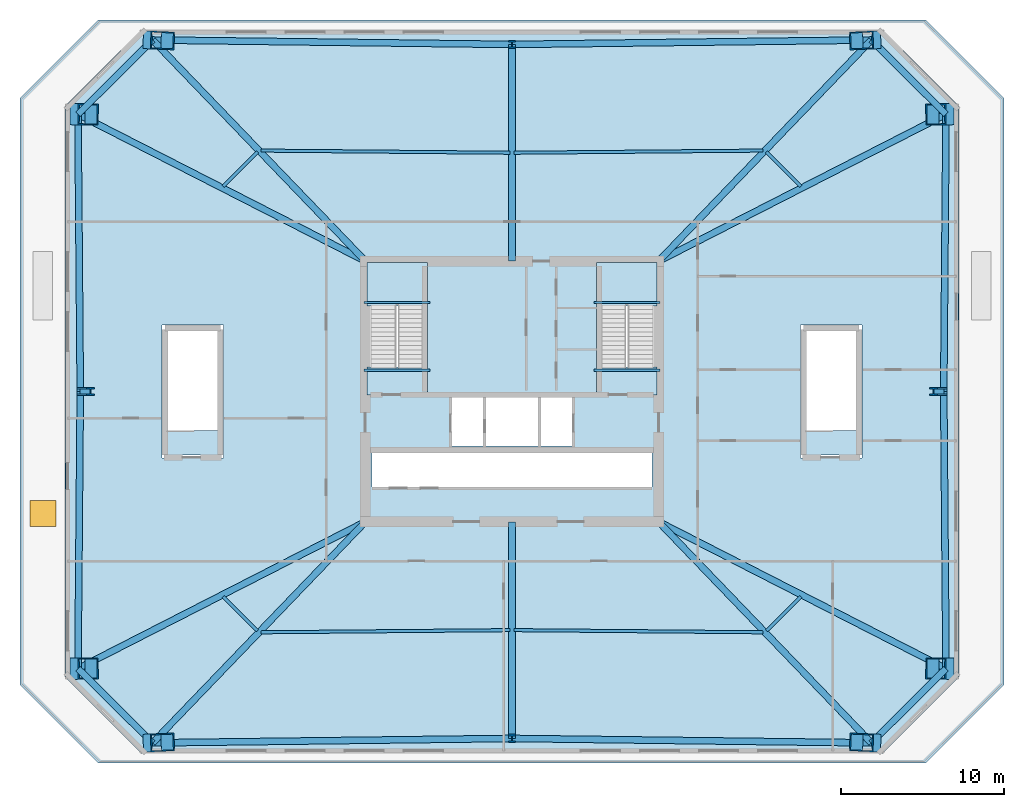
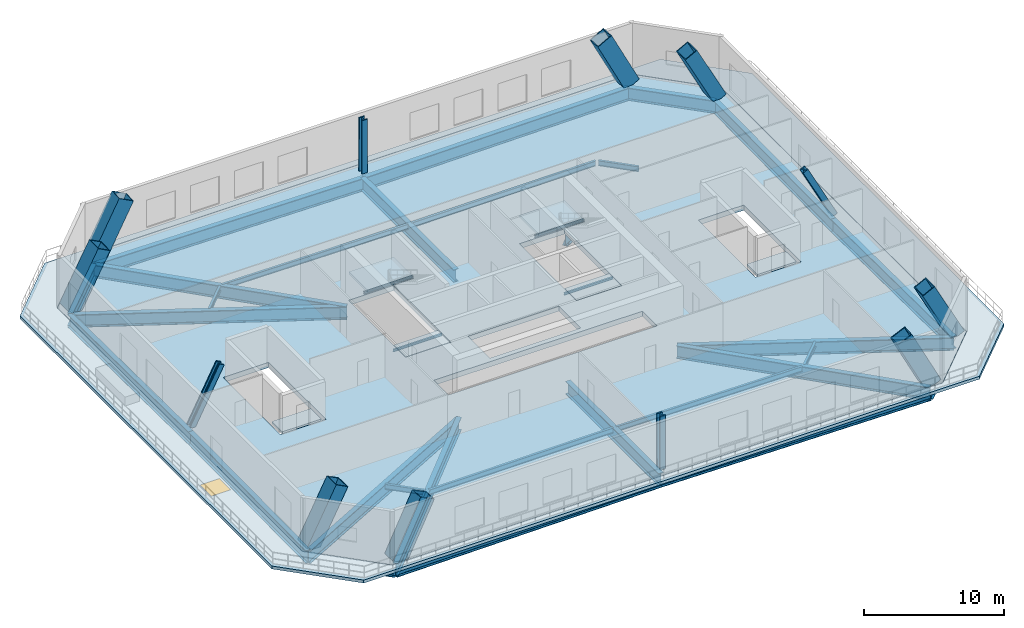
# One storey, part 1 of 7: 34 beams, 12 columns, 8 slabs, 1 window, 1 opening, 2 elements without a shape of their own.
"""IFC4 building model written with IfcOpenShell, lengths in metres."""

from ifc_helpers import new_model, si_unit, direction, frame, origin, origin_2d, place, context, subcontext, project, spatial, polyline, rectangle, hollow_rectangle, i_section, outline, extrude, material, layer, layer_set, material_profile, profile_set, type_object, element, fill, aggregate, save


model = new_model("IFC4")

# Units and contexts
model_context = context("Model", 3, precision=1e-05, world=origin(), true_north=direction((0.0, 1.0)))
body_context = subcontext(model_context, "Body", "Model", "MODEL_VIEW")
ifc_project = project(units=[si_unit("LENGTHUNIT", "METRE"), si_unit("AREAUNIT", "SQUARE_METRE"), si_unit("VOLUMEUNIT", "CUBIC_METRE"), si_unit("PLANEANGLEUNIT", "RADIAN"), si_unit("MASSUNIT", "GRAM", prefix="KILO")], contexts=[model_context])

# Site, building, storey
site_placement = place(None, origin())
site = spatial("IfcSite", under=ifc_project, at=site_placement, CompositionType="ELEMENT")
building_placement = place(site_placement, origin())
building = spatial("IfcBuilding", under=site, at=building_placement, Name="Caelvoria Tower", CompositionType="ELEMENT")
storey_placement = place(building_placement, frame((0.0, 0.0, 23.0)))
storey = spatial("IfcBuildingStorey", under=building, at=storey_placement, Name="L05", CompositionType="ELEMENT", Elevation=23.0)

# Columns
ifc_material_1 = material(Name="Structural Steel ASTM A913 Gr.65", Category="steel")
ifc_material_profile_1 = material_profile(ifc_material_1, i_section(OverallWidth=0.43896484375, OverallDepth=0.513916015625, WebThickness=0.059814453125, FlangeThickness=0.096923828125, FilletRadius=0.02490234375, at=origin_2d()), Name="Structural Steel ASTM A913 Gr.65")
ifc_profile_set_1 = profile_set([ifc_material_profile_1], Name="W360X818 - Structural Steel ASTM A913 Gr.65")
column_type_1 = type_object("IfcColumnType", Name="Heavy Frame Column W360X818", PredefinedType="COLUMN", material=ifc_profile_set_1)
column_1_placement = place(storey_placement, frame((46.0, 10.699951171875, 0.0), z_axis=(0.0, 0.004279486933, 0.999990842954), x_axis=(-1.0, 0.0, 0.0)))
element("IfcColumn", 1, at=column_1_placement, inside=storey, type_object=column_type_1, Name="Perimeter Megaframe Column L05-P01", PredefinedType="COLUMN", context=body_context, shape_type="SweptSolid", body=[
    extrude(i_section(OverallWidth=0.43896484375, OverallDepth=0.513916015625, WebThickness=0.059814453125, FlangeThickness=0.096923828125, FilletRadius=0.02490234375, at=origin_2d()), origin(), (0.0, 0.0, 1.0), 4.677978515625),
])
column_2_placement = place(storey_placement, frame((72.5, 32.0, 0.0), z_axis=(-0.459464532942, 0.0, 0.888196117402), x_axis=(0.888196117402, 0.0, 0.459464532942)))
element("IfcColumn", 2, at=column_2_placement, inside=storey, type_object=column_type_1, Name="Perimeter Megaframe Column L05-P04", PredefinedType="COLUMN", context=body_context, shape_type="SweptSolid", body=[
    extrude(i_section(OverallWidth=0.43896484375, OverallDepth=0.513916015625, WebThickness=0.059814453125, FlangeThickness=0.096923828125, FilletRadius=0.02490234375, at=origin_2d()), origin(), (0.0, 0.0, 1.0), 5.266845703125),
])
column_3_placement = place(storey_placement, frame((46.0, 53.300048828125, 0.0), z_axis=(0.0, -0.004279486933, 0.999990842954), x_axis=(1.0, 0.0, 0.0)))
element("IfcColumn", 3, at=column_3_placement, inside=storey, type_object=column_type_1, Name="Perimeter Megaframe Column L05-P07", PredefinedType="COLUMN", context=body_context, shape_type="SweptSolid", body=[
    extrude(i_section(OverallWidth=0.43896484375, OverallDepth=0.513916015625, WebThickness=0.059814453125, FlangeThickness=0.096923828125, FilletRadius=0.02490234375, at=origin_2d()), origin(), (0.0, 0.0, 1.0), 4.677978515625),
])
column_4_placement = place(storey_placement, frame((19.5, 32.0, 0.0), z_axis=(0.459464532942, 0.0, 0.888196117402), x_axis=(-0.888196117402, 0.0, 0.459464532942)))
element("IfcColumn", 4, at=column_4_placement, inside=storey, type_object=column_type_1, Name="Perimeter Megaframe Column L05-P10", PredefinedType="COLUMN", context=body_context, shape_type="SweptSolid", body=[
    extrude(i_section(OverallWidth=0.43896484375, OverallDepth=0.513916015625, WebThickness=0.059814453125, FlangeThickness=0.096923828125, FilletRadius=0.02490234375, at=origin_2d()), origin(), (0.0, 0.0, 1.0), 5.266845703125),
])
ifc_material_2 = material(Name="Structural Steel ASTM A572 Gr.50", Category="steel")
ifc_material_profile_2 = material_profile(ifc_material_2, hollow_rectangle(XDim=1.10009765625, YDim=1.300048828125, WallThickness=0.070068359375, at=origin_2d()), Name="Structural Steel ASTM A572 Gr.50")
ifc_profile_set_2 = profile_set([ifc_material_profile_2], Name="BOX1300X1100X70 - Structural Steel ASTM A572 Gr.50")
column_type_2 = type_object("IfcColumnType", Name="Mega Box Column 1300x1100x70", PredefinedType="COLUMN", material=ifc_profile_set_2)
for number, where, z_axis, x_axis, name in (
    (5, (23.943359375, 10.42919921875, 0.0), (0.44785739352, 0.019360501907, 0.89389536638), (-0.043188830704, 0.999066927139, 0.0), "Perimeter Megaframe Column L05-P00"),
    (6, (68.056640625, 10.42919921875, 0.0), (-0.44785739352, 0.019360501907, 0.89389536638), (-0.043188830704, -0.999066927139, 0.0), "Perimeter Megaframe Column L05-P02"),
):
    element("IfcColumn", number, at=place(storey_placement, frame(where, z_axis=z_axis, x_axis=x_axis)), inside=storey, type_object=column_type_2, Name=name, PredefinedType="COLUMN", context=body_context, shape_type="SweptSolid", body=[
        extrude(hollow_rectangle(XDim=1.10009765625, YDim=1.300048828125, WallThickness=0.070068359375, at=origin_2d()), origin(), (0.0, 0.0, 1.0), 5.233154296875),
    ])
for number, where, z_axis, x_axis, name in (
    (7, (72.6416015625, 14.984375, 0.0), (-0.461100753094, 0.005510795382, 0.887330674906), (0.887267310425, -0.010604078532, 0.461133682754), "Perimeter Megaframe Column L05-P03"),
    (8, (72.6416015625, 49.015625, 0.0), (-0.461100753094, -0.005510795382, 0.887330674906), (0.887267310425, 0.010604078532, 0.461133682754), "Perimeter Megaframe Column L05-P05"),
):
    element("IfcColumn", number, at=place(storey_placement, frame(where, z_axis=z_axis, x_axis=x_axis)), inside=storey, type_object=column_type_2, Name=name, PredefinedType="COLUMN", context=body_context, shape_type="SweptSolid", body=[
        extrude(hollow_rectangle(XDim=1.10009765625, YDim=1.300048828125, WallThickness=0.070068359375, at=origin_2d()), origin(), (0.0, 0.0, 1.0), 5.27197265625),
    ])
for number, where, z_axis, x_axis, name in (
    (9, (68.056640625, 53.57080078125, 0.0), (-0.44785739352, -0.019360501907, 0.89389536638), (0.043188830704, -0.999066927139, 0.0), "Perimeter Megaframe Column L05-P06"),
    (10, (23.943359375, 53.57080078125, 0.0), (0.44785739352, -0.019360501907, 0.89389536638), (0.043188830704, 0.999066927139, 0.0), "Perimeter Megaframe Column L05-P08"),
):
    element("IfcColumn", number, at=place(storey_placement, frame(where, z_axis=z_axis, x_axis=x_axis)), inside=storey, type_object=column_type_2, Name=name, PredefinedType="COLUMN", context=body_context, shape_type="SweptSolid", body=[
        extrude(hollow_rectangle(XDim=1.10009765625, YDim=1.300048828125, WallThickness=0.070068359375, at=origin_2d()), origin(), (0.0, 0.0, 1.0), 5.233154296875),
    ])
for number, where, z_axis, x_axis, name in (
    (11, (19.3583984375, 49.015625, 0.0), (0.461100753094, -0.005510795382, 0.887330674906), (-0.887267310425, 0.010604078532, 0.461133682754), "Perimeter Megaframe Column L05-P09"),
    (12, (19.3583984375, 14.984375, 0.0), (0.461100753094, 0.005510795382, 0.887330674906), (-0.887267310425, -0.010604078532, 0.461133682754), "Perimeter Megaframe Column L05-P11"),
):
    element("IfcColumn", number, at=place(storey_placement, frame(where, z_axis=z_axis, x_axis=x_axis)), inside=storey, type_object=column_type_2, Name=name, PredefinedType="COLUMN", context=body_context, shape_type="SweptSolid", body=[
        extrude(hollow_rectangle(XDim=1.10009765625, YDim=1.300048828125, WallThickness=0.070068359375, at=origin_2d()), origin(), (0.0, 0.0, 1.0), 5.27197265625),
    ])

# Beams
ifc_material_3 = material(Name="Structural Steel ASTM A992 Gr.50", Category="steel")
ifc_material_profile_3 = material_profile(ifc_material_3, i_section(OverallWidth=0.134033203125, OverallDepth=0.2099609375, WebThickness=0.00634765625, FlangeThickness=0.01025390625, FilletRadius=0.010009765625, at=origin_2d()), Name="Structural Steel ASTM A992 Gr.50")
ifc_profile_set_3 = profile_set([ifc_material_profile_3], Name="W200X31.3 - Structural Steel ASTM A992 Gr.50")
beam_type_1 = type_object("IfcBeamType", Name="Canopy Edge Trim Beam W200X31.3", PredefinedType="BEAM", material=ifc_profile_set_3)
for number, where, z_axis, x_axis, name in (
    (13, (36.929931640625, 37.449951171875, 2.195068359375), (1.0, 0.0, 0.0), (0.0, 1.0, 0.0), "ST-01 Half-Landing Support Beam L05"),
    (14, (36.929931640625, 33.300048828125, -0.304931640625), (1.0, 0.0, 0.0), (0.0, 1.0, 0.0), "ST-01 Floor-Landing Support Beam L05"),
    (15, (51.030029296875, 37.449951171875, 2.195068359375), (1.0, 0.0, 0.0), (0.0, 1.0, 0.0), "ST-02 Half-Landing Support Beam L05"),
    (16, (51.030029296875, 33.300048828125, -0.304931640625), (1.0, 0.0, 0.0), (0.0, 1.0, 0.0), "ST-02 Floor-Landing Support Beam L05"),
):
    element("IfcBeam", number, at=place(storey_placement, frame(where, z_axis=z_axis, x_axis=x_axis)), inside=storey, type_object=beam_type_1, Name=name, PredefinedType="BEAM", context=body_context, shape_type="SweptSolid", body=[
        extrude(i_section(OverallWidth=0.134033203125, OverallDepth=0.2099609375, WebThickness=0.00634765625, FlangeThickness=0.01025390625, FilletRadius=0.010009765625, at=origin_2d()), origin(), (0.0, 0.0, 1.0), 4.0400390625),
    ])
ifc_material_profile_4 = material_profile(ifc_material_1, i_section(OverallWidth=0.405029296875, OverallDepth=1.117919921875, WebThickness=0.029541015625, FlangeThickness=0.05078125, FilletRadius=0.028076171875, at=origin_2d()), Name="Structural Steel ASTM A913 Gr.65")
ifc_profile_set_4 = profile_set([ifc_material_profile_4], Name="W1100X499 - Structural Steel ASTM A913 Gr.65")
beam_type_2 = type_object("IfcBeamType", Name="Podium Transfer Girder W1100X499", PredefinedType="BEAM", material=ifc_profile_set_4)
for number, where, z_axis, x_axis, name in (
    (17, (23.943359375, 10.42919921875, -1.009033203125), (0.999924666978, 0.01227437855, 0.0), (-0.01227437855, 0.999924666978, 0.0), "Perimeter Spandrel Girder L05-00"),
    (18, (46.0, 10.699951171875, -1.009033203125), (0.999924666978, -0.01227437855, 0.0), (0.01227437855, 0.999924666978, 0.0), "Perimeter Spandrel Girder L05-01"),
):
    element("IfcBeam", number, at=place(storey_placement, frame(where, z_axis=z_axis, x_axis=x_axis)), inside=storey, type_object=beam_type_2, Name=name, PredefinedType="BEAM", context=body_context, shape_type="SweptSolid", body=[
        extrude(i_section(OverallWidth=0.405029296875, OverallDepth=1.117919921875, WebThickness=0.029541015625, FlangeThickness=0.05078125, FilletRadius=0.028076171875, at=origin_2d()), origin(), (0.0, 0.0, 1.0), 22.058349609375),
    ])
beam_1_placement = place(storey_placement, frame((68.056640625, 10.42919921875, -1.009033203125), z_axis=(0.709407278283, 0.704798775197, 0.0), x_axis=(-0.704798775197, 0.709407278283, 0.0)))
element("IfcBeam", 19, at=beam_1_placement, inside=storey, type_object=beam_type_2, Name="Perimeter Spandrel Girder L05-02", PredefinedType="BEAM", context=body_context, shape_type="SweptSolid", body=[
    extrude(i_section(OverallWidth=0.405029296875, OverallDepth=1.117919921875, WebThickness=0.029541015625, FlangeThickness=0.05078125, FilletRadius=0.028076171875, at=origin_2d()), origin(), (0.0, 0.0, 1.0), 6.463134765625),
])
for number, where, z_axis, x_axis, name in (
    (20, (72.6416015625, 14.984375, -1.009033203125), (-0.00832156677, 0.999965375164, 0.0), (-0.999965375164, -0.00832156677, 0.0), "Perimeter Spandrel Girder L05-03"),
    (21, (72.5, 32.0, -1.009033203125), (0.00832156677, 0.999965375164, 0.0), (-0.999965375164, 0.00832156677, 0.0), "Perimeter Spandrel Girder L05-04"),
):
    element("IfcBeam", number, at=place(storey_placement, frame(where, z_axis=z_axis, x_axis=x_axis)), inside=storey, type_object=beam_type_2, Name=name, PredefinedType="BEAM", context=body_context, shape_type="SweptSolid", body=[
        extrude(i_section(OverallWidth=0.405029296875, OverallDepth=1.117919921875, WebThickness=0.029541015625, FlangeThickness=0.05078125, FilletRadius=0.028076171875, at=origin_2d()), origin(), (0.0, 0.0, 1.0), 17.01611328125),
    ])
beam_2_placement = place(storey_placement, frame((72.6416015625, 49.015625, -1.009033203125), z_axis=(-0.709407278283, 0.704798775197, 0.0), x_axis=(-0.704798775197, -0.709407278283, 0.0)))
element("IfcBeam", 22, at=beam_2_placement, inside=storey, type_object=beam_type_2, Name="Perimeter Spandrel Girder L05-05", PredefinedType="BEAM", context=body_context, shape_type="SweptSolid", body=[
    extrude(i_section(OverallWidth=0.405029296875, OverallDepth=1.117919921875, WebThickness=0.029541015625, FlangeThickness=0.05078125, FilletRadius=0.028076171875, at=origin_2d()), origin(), (0.0, 0.0, 1.0), 6.463134765625),
])
for number, where, z_axis, x_axis, name in (
    (23, (68.056640625, 53.57080078125, -1.009033203125), (-0.999924666978, -0.01227437855, 0.0), (0.01227437855, -0.999924666978, 0.0), "Perimeter Spandrel Girder L05-06"),
    (24, (46.0, 53.300048828125, -1.009033203125), (-0.999924666978, 0.01227437855, 0.0), (-0.01227437855, -0.999924666978, 0.0), "Perimeter Spandrel Girder L05-07"),
):
    element("IfcBeam", number, at=place(storey_placement, frame(where, z_axis=z_axis, x_axis=x_axis)), inside=storey, type_object=beam_type_2, Name=name, PredefinedType="BEAM", context=body_context, shape_type="SweptSolid", body=[
        extrude(i_section(OverallWidth=0.405029296875, OverallDepth=1.117919921875, WebThickness=0.029541015625, FlangeThickness=0.05078125, FilletRadius=0.028076171875, at=origin_2d()), origin(), (0.0, 0.0, 1.0), 22.058349609375),
    ])
beam_3_placement = place(storey_placement, frame((23.943359375, 53.57080078125, -1.009033203125), z_axis=(-0.709407278283, -0.704798775197, 0.0), x_axis=(0.704798775197, -0.709407278283, 0.0)))
element("IfcBeam", 25, at=beam_3_placement, inside=storey, type_object=beam_type_2, Name="Perimeter Spandrel Girder L05-08", PredefinedType="BEAM", context=body_context, shape_type="SweptSolid", body=[
    extrude(i_section(OverallWidth=0.405029296875, OverallDepth=1.117919921875, WebThickness=0.029541015625, FlangeThickness=0.05078125, FilletRadius=0.028076171875, at=origin_2d()), origin(), (0.0, 0.0, 1.0), 6.463134765625),
])
for number, where, z_axis, x_axis, name in (
    (26, (19.3583984375, 49.015625, -1.009033203125), (0.00832156677, -0.999965375164, 0.0), (0.999965375164, 0.00832156677, 0.0), "Perimeter Spandrel Girder L05-09"),
    (27, (19.5, 32.0, -1.009033203125), (-0.00832156677, -0.999965375164, 0.0), (0.999965375164, -0.00832156677, 0.0), "Perimeter Spandrel Girder L05-10"),
):
    element("IfcBeam", number, at=place(storey_placement, frame(where, z_axis=z_axis, x_axis=x_axis)), inside=storey, type_object=beam_type_2, Name=name, PredefinedType="BEAM", context=body_context, shape_type="SweptSolid", body=[
        extrude(i_section(OverallWidth=0.405029296875, OverallDepth=1.117919921875, WebThickness=0.029541015625, FlangeThickness=0.05078125, FilletRadius=0.028076171875, at=origin_2d()), origin(), (0.0, 0.0, 1.0), 17.01611328125),
    ])
beam_4_placement = place(storey_placement, frame((19.3583984375, 14.984375, -1.009033203125), z_axis=(0.709407278283, -0.704798775197, 0.0), x_axis=(0.704798775197, 0.709407278283, 0.0)))
element("IfcBeam", 28, at=beam_4_placement, inside=storey, type_object=beam_type_2, Name="Perimeter Spandrel Girder L05-11", PredefinedType="BEAM", context=body_context, shape_type="SweptSolid", body=[
    extrude(i_section(OverallWidth=0.405029296875, OverallDepth=1.117919921875, WebThickness=0.029541015625, FlangeThickness=0.05078125, FilletRadius=0.028076171875, at=origin_2d()), origin(), (0.0, 0.0, 1.0), 6.463134765625),
])
beam_5_placement = place(storey_placement, frame((37.0, 24.0, -1.009033203125), z_axis=(-0.69332372519, -0.720626263807, 0.0), x_axis=(0.720626263807, -0.69332372519, 0.0)))
element("IfcBeam", 29, at=beam_5_placement, inside=storey, type_object=beam_type_2, Name="Primary Floor Girder L05-00", PredefinedType="BEAM", context=body_context, shape_type="SweptSolid", body=[
    extrude(i_section(OverallWidth=0.405029296875, OverallDepth=1.117919921875, WebThickness=0.029541015625, FlangeThickness=0.05078125, FilletRadius=0.028076171875, at=origin_2d()), origin(), (0.0, 0.0, 1.0), 18.83203125),
])
beam_6_placement = place(storey_placement, frame((46.0, 24.0, -1.009033203125), z_axis=(0.0, -1.0, 0.0), x_axis=(1.0, 0.0, 0.0)))
element("IfcBeam", 30, at=beam_6_placement, inside=storey, type_object=beam_type_2, Name="Primary Floor Girder L05-01", PredefinedType="BEAM", context=body_context, shape_type="SweptSolid", body=[
    extrude(i_section(OverallWidth=0.405029296875, OverallDepth=1.117919921875, WebThickness=0.029541015625, FlangeThickness=0.05078125, FilletRadius=0.028076171875, at=origin_2d()), origin(), (0.0, 0.0, 1.0), 13.300048828125),
])
beam_7_placement = place(storey_placement, frame((55.0, 24.0, -1.009033203125), z_axis=(0.69332372519, -0.720626263807, 0.0), x_axis=(0.720626263807, 0.69332372519, 0.0)))
element("IfcBeam", 31, at=beam_7_placement, inside=storey, type_object=beam_type_2, Name="Primary Floor Girder L05-02", PredefinedType="BEAM", context=body_context, shape_type="SweptSolid", body=[
    extrude(i_section(OverallWidth=0.405029296875, OverallDepth=1.117919921875, WebThickness=0.029541015625, FlangeThickness=0.05078125, FilletRadius=0.028076171875, at=origin_2d()), origin(), (0.0, 0.0, 1.0), 18.83203125),
])
for number, where, z_axis, x_axis, name in (
    (32, (55.0, 24.0, -1.009033203125), (0.890459095292, -0.455063291876, 0.0), (0.455063291876, 0.890459095292, 0.0), "Primary Floor Girder L05-03"),
    (33, (55.0, 40.0, -1.009033203125), (0.890459095292, 0.455063291876, 0.0), (-0.455063291876, 0.890459095292, 0.0), "Primary Floor Girder L05-05"),
):
    element("IfcBeam", number, at=place(storey_placement, frame(where, z_axis=z_axis, x_axis=x_axis)), inside=storey, type_object=beam_type_2, Name=name, PredefinedType="BEAM", context=body_context, shape_type="SweptSolid", body=[
        extrude(i_section(OverallWidth=0.405029296875, OverallDepth=1.117919921875, WebThickness=0.029541015625, FlangeThickness=0.05078125, FilletRadius=0.028076171875, at=origin_2d()), origin(), (0.0, 0.0, 1.0), 19.811767578125),
    ])
beam_8_placement = place(storey_placement, frame((55.0, 40.0, -1.009033203125), z_axis=(0.69332372519, 0.720626263807, 0.0), x_axis=(-0.720626263807, 0.69332372519, 0.0)))
element("IfcBeam", 34, at=beam_8_placement, inside=storey, type_object=beam_type_2, Name="Primary Floor Girder L05-06", PredefinedType="BEAM", context=body_context, shape_type="SweptSolid", body=[
    extrude(i_section(OverallWidth=0.405029296875, OverallDepth=1.117919921875, WebThickness=0.029541015625, FlangeThickness=0.05078125, FilletRadius=0.028076171875, at=origin_2d()), origin(), (0.0, 0.0, 1.0), 18.83203125),
])
beam_9_placement = place(storey_placement, frame((46.0, 40.0, -1.009033203125), z_axis=(0.0, 1.0, 0.0), x_axis=(-1.0, 0.0, 0.0)))
element("IfcBeam", 35, at=beam_9_placement, inside=storey, type_object=beam_type_2, Name="Primary Floor Girder L05-07", PredefinedType="BEAM", context=body_context, shape_type="SweptSolid", body=[
    extrude(i_section(OverallWidth=0.405029296875, OverallDepth=1.117919921875, WebThickness=0.029541015625, FlangeThickness=0.05078125, FilletRadius=0.028076171875, at=origin_2d()), origin(), (0.0, 0.0, 1.0), 13.300048828125),
])
beam_10_placement = place(storey_placement, frame((37.0, 40.0, -1.009033203125), z_axis=(-0.69332372519, 0.720626263807, 0.0), x_axis=(-0.720626263807, -0.69332372519, 0.0)))
element("IfcBeam", 36, at=beam_10_placement, inside=storey, type_object=beam_type_2, Name="Primary Floor Girder L05-08", PredefinedType="BEAM", context=body_context, shape_type="SweptSolid", body=[
    extrude(i_section(OverallWidth=0.405029296875, OverallDepth=1.117919921875, WebThickness=0.029541015625, FlangeThickness=0.05078125, FilletRadius=0.028076171875, at=origin_2d()), origin(), (0.0, 0.0, 1.0), 18.83203125),
])
for number, where, z_axis, x_axis, name in (
    (37, (37.0, 40.0, -1.009033203125), (-0.890459095292, 0.455063291876, 0.0), (-0.455063291876, -0.890459095292, 0.0), "Primary Floor Girder L05-09"),
    (38, (37.0, 24.0, -1.009033203125), (-0.890459095292, -0.455063291876, 0.0), (0.455063291876, -0.890459095292, 0.0), "Primary Floor Girder L05-11"),
):
    element("IfcBeam", number, at=place(storey_placement, frame(where, z_axis=z_axis, x_axis=x_axis)), inside=storey, type_object=beam_type_2, Name=name, PredefinedType="BEAM", context=body_context, shape_type="SweptSolid", body=[
        extrude(i_section(OverallWidth=0.405029296875, OverallDepth=1.117919921875, WebThickness=0.029541015625, FlangeThickness=0.05078125, FilletRadius=0.028076171875, at=origin_2d()), origin(), (0.0, 0.0, 1.0), 19.811767578125),
    ])
ifc_material_profile_5 = material_profile(ifc_material_3, i_section(OverallWidth=0.18994140625, OverallDepth=0.45703125, WebThickness=0.009033203125, FlangeThickness=0.014404296875, FilletRadius=0.014892578125, at=origin_2d()), Name="Structural Steel ASTM A992 Gr.50")
ifc_profile_set_5 = profile_set([ifc_material_profile_5], Name="W460X74 - Structural Steel ASTM A992 Gr.50")
beam_type_3 = type_object("IfcBeamType", Name="Secondary Floor Beam W460X74", PredefinedType="BEAM", material=ifc_profile_set_5)
for number, where, z_axis, x_axis, name in (
    (39, (30.5966796875, 17.2158203125, -0.678466796875), (0.9999620801, 0.00870852243, 0.0), (-0.00870852243, 0.9999620801, 0.0), "Secondary Floor Beam L05-00"),
    (40, (46.125, 17.348876953125, -0.678466796875), (0.9999620801, -0.00870852243, 0.0), (0.00870852243, 0.9999620801, 0.0), "Secondary Floor Beam L05-01"),
):
    element("IfcBeam", number, at=place(storey_placement, frame(where, z_axis=z_axis, x_axis=x_axis)), inside=storey, type_object=beam_type_3, Name=name, PredefinedType="BEAM", context=body_context, shape_type="SweptSolid", body=[
        extrude(i_section(OverallWidth=0.18994140625, OverallDepth=0.45703125, WebThickness=0.009033203125, FlangeThickness=0.014404296875, FilletRadius=0.014892578125, at=origin_2d()), origin(), (0.0, 0.0, 1.0), 15.27880859375),
    ])
for number, where, z_axis, x_axis, name in (
    (41, (61.616943359375, 17.302734375, -0.678466796875), (0.709395928351, 0.704810199159, 0.0), (-0.704810199159, 0.709395928351, 0.0), "Secondary Floor Beam L05-02"),
    (42, (63.73193359375, 44.595947265625, -0.678466796875), (-0.709395928351, 0.704810199159, 0.0), (-0.704810199159, -0.709395928351, 0.0), "Secondary Floor Beam L05-05"),
):
    element("IfcBeam", number, at=place(storey_placement, frame(where, z_axis=z_axis, x_axis=x_axis)), inside=storey, type_object=beam_type_3, Name=name, PredefinedType="BEAM", context=body_context, shape_type="SweptSolid", body=[
        extrude(i_section(OverallWidth=0.18994140625, OverallDepth=0.45703125, WebThickness=0.009033203125, FlangeThickness=0.014404296875, FilletRadius=0.014892578125, at=origin_2d()), origin(), (0.0, 0.0, 1.0), 2.9814453125),
    ])
for number, where, z_axis, x_axis, name in (
    (43, (61.4033203125, 46.7841796875, -0.678466796875), (-0.9999620801, -0.00870852243, 0.0), (0.00870852243, -0.9999620801, 0.0), "Secondary Floor Beam L05-06"),
    (44, (45.875, 46.651123046875, -0.678466796875), (-0.9999620801, 0.00870852243, 0.0), (-0.00870852243, -0.9999620801, 0.0), "Secondary Floor Beam L05-07"),
):
    element("IfcBeam", number, at=place(storey_placement, frame(where, z_axis=z_axis, x_axis=x_axis)), inside=storey, type_object=beam_type_3, Name=name, PredefinedType="BEAM", context=body_context, shape_type="SweptSolid", body=[
        extrude(i_section(OverallWidth=0.18994140625, OverallDepth=0.45703125, WebThickness=0.009033203125, FlangeThickness=0.014404296875, FilletRadius=0.014892578125, at=origin_2d()), origin(), (0.0, 0.0, 1.0), 15.27880859375),
    ])
for number, where, z_axis, x_axis, name in (
    (45, (30.383056640625, 46.697265625, -0.678466796875), (-0.709436603289, -0.704769257214, 0.0), (0.704769257214, -0.709436603289, 0.0), "Secondary Floor Beam L05-08"),
    (46, (28.267822265625, 19.404052734375, -0.678466796875), (0.709436603289, -0.704769257214, 0.0), (0.704769257214, 0.709436603289, 0.0), "Secondary Floor Beam L05-11"),
):
    element("IfcBeam", number, at=place(storey_placement, frame(where, z_axis=z_axis, x_axis=x_axis)), inside=storey, type_object=beam_type_3, Name=name, PredefinedType="BEAM", context=body_context, shape_type="SweptSolid", body=[
        extrude(i_section(OverallWidth=0.18994140625, OverallDepth=0.45703125, WebThickness=0.009033203125, FlangeThickness=0.014404296875, FilletRadius=0.014892578125, at=origin_2d()), origin(), (0.0, 0.0, 1.0), 2.981689453125),
    ])

# Slab
ifc_material_4 = material(Name="Concrete C50/60", Category="concrete")
ifc_layer_1 = layer(ifc_material_4, 0.449951171875, Name="Concrete C50/60")
ifc_layer_set_1 = layer_set([ifc_layer_1], Name="Podium Transfer Deck Slab 450 - Concrete C50/60")
slab_type_1 = type_object("IfcSlabType", Name="Podium Transfer Deck Slab 450", PredefinedType="FLOOR", material=ifc_layer_set_1)
slab_1_placement = place(storey_placement, frame((0.0, 0.0, -0.449951171875)))
element("IfcSlab", 47, at=slab_1_placement, inside=storey, type_object=slab_type_1, Name="Level L05 Structural Floor Slab", PredefinedType="FLOOR", context=body_context, shape_type="SweptSolid", body=[
    extrude(outline(polyline([(23.300048828125, 9.800048828125), (68.699951171875, 9.800048828125), (73.39990234375, 14.5), (73.39990234375, 49.5), (68.699951171875, 54.199951171875), (23.300048828125, 54.199951171875), (18.60009765625, 49.5), (18.60009765625, 14.5), (23.300048828125, 9.800048828125)]), holes=[polyline([(37.080078125, 31.75), (40.820068359375, 31.75), (40.820068359375, 39.919921875), (37.080078125, 39.919921875), (37.080078125, 31.75)]), polyline([(51.179931640625, 31.75), (54.919921875, 31.75), (54.919921875, 39.919921875), (51.179931640625, 39.919921875), (51.179931640625, 31.75)]), polyline([(42.25, 28.64990234375), (49.75, 28.64990234375), (49.75, 31.800048828125), (42.25, 31.800048828125), (42.25, 28.64990234375)]), polyline([(24.52001953125, 27.89990234375), (28.280029296875, 27.89990234375), (28.280029296875, 36.080078125), (24.52001953125, 36.080078125), (24.52001953125, 27.89990234375)]), polyline([(63.719970703125, 27.89990234375), (67.47998046875, 27.89990234375), (67.47998046875, 36.080078125), (63.719970703125, 36.080078125), (63.719970703125, 27.89990234375)]), polyline([(37.39990234375, 26.14990234375), (54.60009765625, 26.14990234375), (54.60009765625, 28.25), (37.39990234375, 28.25), (37.39990234375, 26.14990234375)])]), origin(), (0.0, 0.0, 1.0), 0.449951171875),
])

# Stair, slabs
ifc_material_5 = material(Name="Concrete C40/50", Category="concrete")
stair_type = type_object("IfcStairType", Name="Core Smokeproof Dogleg Stair Concrete C40/50", PredefinedType="HALF_TURN_STAIR", material=ifc_material_5)
stair_1_placement = place(storey_placement, origin())
stair_1 = element("IfcStair", 48, at=stair_1_placement, inside=storey, type_object=stair_type, Name="ST-01 Smokeproof Exit Stair L05", PredefinedType="HALF_TURN_STAIR")
ifc_layer_2 = layer(ifc_material_5, 0.199951171875, Name="Concrete C40/50")
ifc_layer_set_2 = layer_set([ifc_layer_2], Name="Stair Half and Floor Landing Slab 200 Concrete C40/50 - Concrete C40/50")
slab_type_2 = type_object("IfcSlabType", Name="Stair Half and Floor Landing Slab 200 Concrete C40/50", PredefinedType="LANDING", material=ifc_layer_set_2)
slab_2_placement = place(storey_placement, frame((0.0, 0.0, -0.199951171875)))
slab_2 = element("IfcSlab", 49, at=slab_2_placement, type_object=slab_type_2, Name="ST-01 landing 1", PredefinedType="LANDING", context=body_context, shape_type="SweptSolid", body=[
    extrude(outline(polyline([(37.10009765625, 31.77001953125), (40.800048828125, 31.77001953125), (40.800048828125, 33.5), (37.10009765625, 33.5), (37.10009765625, 31.77001953125)])), origin(), (0.0, 0.0, 1.0), 0.199951171875),
])
slab_3_placement = place(storey_placement, frame((0.0, 0.0, 2.300048828125)))
slab_3 = element("IfcSlab", 50, at=slab_3_placement, type_object=slab_type_2, Name="ST-01 landing 2", PredefinedType="LANDING", context=body_context, shape_type="SweptSolid", body=[
    extrude(outline(polyline([(37.10009765625, 37.25), (40.800048828125, 37.25), (40.800048828125, 39.89990234375), (37.10009765625, 39.89990234375), (37.10009765625, 37.25)])), origin(), (0.0, 0.0, 1.0), 0.199951171875),
])
aggregate(stair_1, [slab_2, slab_3])

stair_2_placement = place(storey_placement, origin())
stair_2 = element("IfcStair", 51, at=stair_2_placement, inside=storey, type_object=stair_type, Name="ST-02 Smokeproof Exit Stair L05", PredefinedType="HALF_TURN_STAIR")
slab_4_placement = place(storey_placement, frame((0.0, 0.0, -0.199951171875)))
slab_4 = element("IfcSlab", 52, at=slab_4_placement, type_object=slab_type_2, Name="ST-02 landing 1", PredefinedType="LANDING", context=body_context, shape_type="SweptSolid", body=[
    extrude(outline(polyline([(51.199951171875, 31.77001953125), (54.89990234375, 31.77001953125), (54.89990234375, 33.5), (51.199951171875, 33.5), (51.199951171875, 31.77001953125)])), origin(), (0.0, 0.0, 1.0), 0.199951171875),
])
slab_5_placement = place(storey_placement, frame((0.0, 0.0, 2.300048828125)))
slab_5 = element("IfcSlab", 53, at=slab_5_placement, type_object=slab_type_2, Name="ST-02 landing 2", PredefinedType="LANDING", context=body_context, shape_type="SweptSolid", body=[
    extrude(outline(polyline([(51.199951171875, 37.25), (54.89990234375, 37.25), (54.89990234375, 39.89990234375), (51.199951171875, 39.89990234375), (51.199951171875, 37.25)])), origin(), (0.0, 0.0, 1.0), 0.199951171875),
])
aggregate(stair_2, [slab_4, slab_5])

# Slabs
slab_6_placement = place(storey_placement, frame((0.0, 0.0, -0.199951171875)))
element("IfcSlab", 54, at=slab_6_placement, inside=storey, type_object=slab_type_2, Name="Podium Top Arrival Landing L05 ST3", PredefinedType="LANDING", context=body_context, shape_type="SweptSolid", body=[
    extrude(outline(polyline([(24.800048828125, 28.10009765625), (28.0, 28.10009765625), (28.0, 29.60009765625), (24.800048828125, 29.60009765625), (24.800048828125, 28.10009765625)])), origin(), (0.0, 0.0, 1.0), 0.199951171875),
])
slab_7_placement = place(storey_placement, frame((0.0, 0.0, -0.199951171875)))
element("IfcSlab", 55, at=slab_7_placement, inside=storey, type_object=slab_type_2, Name="Podium Top Arrival Landing L05 ST4", PredefinedType="LANDING", context=body_context, shape_type="SweptSolid", body=[
    extrude(outline(polyline([(64.0, 28.10009765625), (67.199951171875, 28.10009765625), (67.199951171875, 29.60009765625), (64.0, 29.60009765625), (64.0, 28.10009765625)])), origin(), (0.0, 0.0, 1.0), 0.199951171875),
])

# Slab, opening, window
ifc_layer_3 = layer(ifc_material_5, 0.260009765625, Name="Concrete C40/50")
ifc_layer_set_3 = layer_set([ifc_layer_3], Name="Terraced Podium Roof Garden Slab 260 - Concrete C40/50")
slab_type_3 = type_object("IfcSlabType", Name="Terraced Podium Roof Garden Slab 260", PredefinedType="ROOF", material=ifc_layer_set_3)
slab_8_placement = place(storey_placement, frame((0.0, 0.0, -0.260009765625)))
slab_8 = element("IfcSlab", 56, at=slab_8_placement, inside=storey, type_object=slab_type_3, Name="Level L05 Terraced Podium Roof Deck", PredefinedType="ROOF", context=body_context, shape_type="SweptSolid", body=[
    extrude(outline(polyline([(20.60009765625, 9.199951171875), (71.39990234375, 9.199951171875), (76.199951171875, 14.0), (76.199951171875, 50.0), (71.39990234375, 54.800048828125), (20.60009765625, 54.800048828125), (15.800048828125, 50.0), (15.800048828125, 14.0), (20.60009765625, 9.199951171875)]), holes=[polyline([(23.28564453125, 9.785888671875), (68.71435546875, 9.785888671875), (73.4169921875, 14.4892578125), (73.4169921875, 49.5107421875), (68.71435546875, 54.214111328125), (23.28564453125, 54.214111328125), (18.5830078125, 49.5107421875), (18.5830078125, 14.4892578125), (23.28564453125, 9.785888671875)])]), origin(), (0.0, 0.0, 1.0), 0.260009765625),
])
opening_placement = place(slab_8_placement, frame((17.199951171875, 24.5, 0.0)))
opening = element("IfcOpeningElement", 57, at=opening_placement, cuts=slab_8, Name="Opening SK-01", PredefinedType="OPENING", context=body_context, shape_type="SweptSolid", body=[
    extrude(rectangle(XDim=1.60009765625, YDim=1.60009765625, at=origin_2d()), origin(), (0.0, 0.0, 1.0), 0.260009765625),
])
ifc_material_6 = material(Name="Low-E Tinted Glass in Bronze Aluminium Frame", Category="aluminium")
window_type = type_object("IfcWindowType", Name="Podium Terrace Daylight Skylight 1800x1800", PartitioningType="SINGLE_PANEL", PredefinedType="SKYLIGHT", material=ifc_material_6)
window_placement = place(opening_placement, frame((0.0, 0.0, 0.2099609375)))
window = element("IfcWindow", 58, at=window_placement, inside=storey, type_object=window_type, Name="Podium Terrace Skylight L05", OverallHeight=1.60009765625, OverallWidth=1.60009765625, PartitioningType="SINGLE_PANEL", PredefinedType="SKYLIGHT", context=body_context, shape_type="SweptSolid", body=[
    extrude(rectangle(XDim=1.60009765625, YDim=1.60009765625, at=origin_2d()), origin(), (0.0, 0.0, 1.0), 0.050048828125),
])
fill(opening, window)

save(model, "model.ifc")
